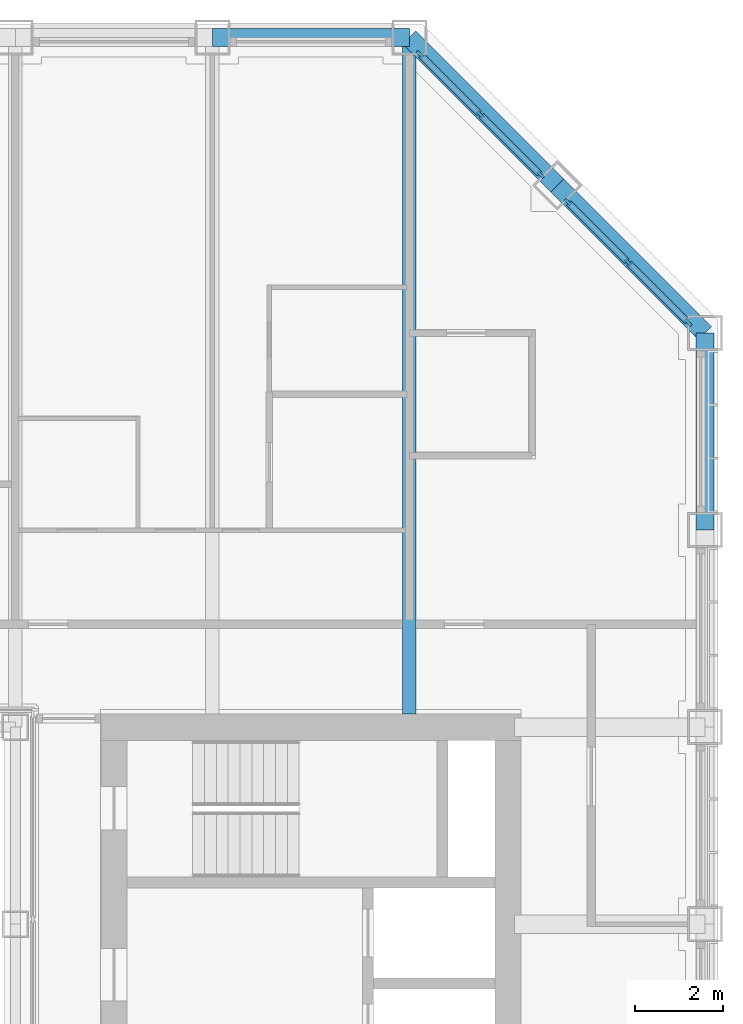
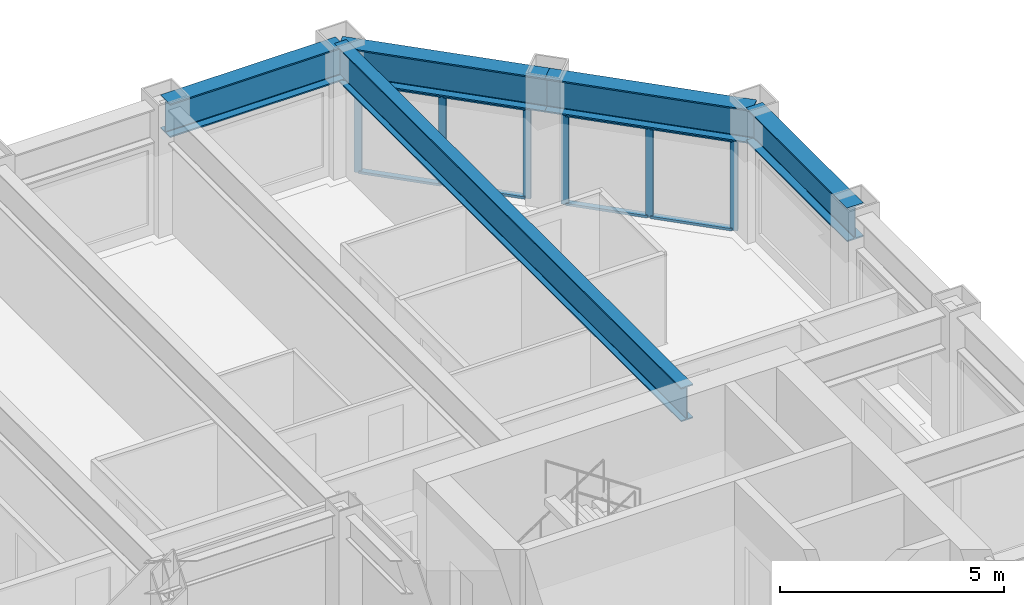
# One storey, part 8 of 18: 14 members, 5 beams, 2 elements without a shape of their own.
"""IFC4 building model written with IfcOpenShell, lengths in metres."""

import ifcopenshell
import ifcopenshell.guid

model = None  # the IFC model being written
_history = None  # IfcOwnerHistory: only IFC2X3 demands one
_inside = {}  # id of a spatial element -> (the spatial element, [elements in it])
_under = {}  # id of a project, library or spatial element -> (it, [spatial elements below it])
_declared = {}  # id of a project -> (the project, [libraries it declares])
_typed = {}  # id of a type object -> (the type object, [elements of that type])
_made_of = {}  # id of a material, layer set ... -> (it, [elements and type objects made of it])


def new_model(schema):
    """Start an empty IFC model of exactly this schema.

    Asked for "IFC4X3", IfcOpenShell would pick the latest addendum, in which some entities
    have other attributes; the version numbers below select the first issue.
    IFC2X3 requires an IfcOwnerHistory on every rooted entity: one is made here for all.
    """
    global model, _history
    if schema == "IFC4X3":
        model = ifcopenshell.file(schema_version=(4, 3, 0, 0))
    else:
        model = ifcopenshell.file(schema=schema)
    _inside.clear()
    _under.clear()
    _declared.clear()
    _typed.clear()
    _made_of.clear()
    _history = None
    if model.schema == "IFC2X3":
        org = make("IfcOrganization", Name="unknown")
        user = make(
            "IfcPersonAndOrganization",
            ThePerson=make("IfcPerson", FamilyName="unknown"),
            TheOrganization=org,
        )
        app = make(
            "IfcApplication",
            ApplicationDeveloper=org,
            Version="unknown",
            ApplicationFullName="unknown",
            ApplicationIdentifier="unknown",
        )
        _history = make(
            "IfcOwnerHistory",
            OwningUser=user,
            OwningApplication=app,
            ChangeAction="ADDED",
            CreationDate=0,
        )
    return model


def make(cls, **values):
    """One entity of the class cls with the attributes given. An attribute that is None is left unset."""
    return model.create_entity(
        cls, **{name: value for name, value in values.items() if value is not None}
    )


def rooted(cls, **values):
    """An entity with a GlobalId (a new one), such as an element, a storey or a relation."""
    return make(cls, GlobalId=ifcopenshell.guid.new(), OwnerHistory=_history, **values)


def si_unit(unit_type, name, prefix=None):
    """IfcSIUnit, for example si_unit("LENGTHUNIT", "METRE", prefix="MILLI")."""
    return make("IfcSIUnit", UnitType=unit_type, Prefix=prefix, Name=name)


def assignment(units):
    """IfcUnitAssignment: the units of a project."""
    return None if units is None else make("IfcUnitAssignment", Units=units)


def point(xyz):
    """IfcCartesianPoint."""
    return None if xyz is None else make("IfcCartesianPoint", Coordinates=xyz)


def direction(xyz):
    """IfcDirection."""
    return None if xyz is None else make("IfcDirection", DirectionRatios=xyz)


def frame(location, z_axis=None, x_axis=None):
    """IfcAxis2Placement3D, a coordinate frame: its origin and axes. An axis left out is left unset."""
    return make(
        "IfcAxis2Placement3D",
        Location=point(location),
        Axis=direction(z_axis),
        RefDirection=direction(x_axis),
    )


def frame_2d(location, x_axis=None):
    """IfcAxis2Placement2D, a coordinate frame in the plane: its origin and x axis."""
    return make(
        "IfcAxis2Placement2D", Location=point(location), RefDirection=direction(x_axis)
    )


def origin():
    """The frame at (0, 0, 0) with its axes left unset."""
    return frame((0.0, 0.0, 0.0))


def origin_2d():
    """The frame at (0, 0) in the plane with its x axis left unset."""
    return frame_2d((0.0, 0.0))


def place(relative_to, where):
    """IfcLocalPlacement: puts the frame where relative to a parent placement (None: the world)."""
    return make(
        "IfcLocalPlacement", PlacementRelTo=relative_to, RelativePlacement=where
    )


def context(
    kind, dimensions, precision=None, world=None, true_north=None, identifier=None
):
    """IfcGeometricRepresentationContext, for example the 3D "Model" context."""
    return make(
        "IfcGeometricRepresentationContext",
        ContextIdentifier=identifier,
        ContextType=kind,
        CoordinateSpaceDimension=dimensions,
        Precision=precision,
        WorldCoordinateSystem=world,
        TrueNorth=true_north,
    )


def subcontext(parent, identifier, kind, view, scale=None):
    """IfcGeometricRepresentationSubContext, for example "Body" below "Model"."""
    return make(
        "IfcGeometricRepresentationSubContext",
        ContextIdentifier=identifier,
        ContextType=kind,
        ParentContext=parent,
        TargetScale=scale,
        TargetView=view,
    )


def project(units=None, contexts=None):
    """IfcProject with its units and contexts."""
    return rooted(
        "IfcProject",
        Name="project",
        RepresentationContexts=contexts,
        UnitsInContext=assignment(units),
    )


def spatial(cls, under=None, at=None, **own):
    """A site, building, storey or space (cls), placed at a placement, below another one or the project."""
    s = rooted(cls, ObjectPlacement=at, **own)
    if under is not None:
        _under.setdefault(under.id(), (under, []))[1].append(s)
    return s


def profile(cls, at=None, kind="AREA", **sizes):
    """A parametric profile (cls). Its sizes go by their IFC names, for example OverallWidth=200.0."""
    return make(cls, ProfileType=kind, Position=at, **sizes)


def rectangle(**sizes):
    """IfcRectangleProfileDef."""
    return profile("IfcRectangleProfileDef", **sizes)


def i_section(**sizes):
    """IfcIShapeProfileDef."""
    return profile("IfcIShapeProfileDef", **sizes)


def extrude(swept, where, along, depth):
    """IfcExtrudedAreaSolid: the profile swept, set in the frame where, extruded along a direction by depth."""
    return make(
        "IfcExtrudedAreaSolid",
        SweptArea=swept,
        Position=where,
        ExtrudedDirection=direction(along),
        Depth=depth,
    )


def shape(context_of_items, identifier, shape_type, items):
    """IfcShapeRepresentation: the items that make up one representation, for example the "Body"."""
    return make(
        "IfcShapeRepresentation",
        ContextOfItems=context_of_items,
        RepresentationIdentifier=identifier,
        RepresentationType=shape_type,
        Items=items,
    )


def material(Name=None, Category=None):
    """IfcMaterial."""
    return make("IfcMaterial", Name=Name, Category=Category)


def material_profile(
    of_material, cross_section, Name=None, Category=None, Priority=None
):
    """IfcMaterialProfile: a cross section and its material."""
    return make(
        "IfcMaterialProfile",
        Name=Name,
        Material=of_material,
        Profile=cross_section,
        Priority=Priority,
        Category=Category,
    )


def profile_set(profiles, Name=None, composite=None):
    """IfcMaterialProfileSet."""
    return make(
        "IfcMaterialProfileSet",
        Name=Name,
        MaterialProfiles=profiles,
        CompositeProfile=composite,
    )


def made_of(thing, what):
    """Note that an element or type object is made of a material, layer set ...; save() writes the relation."""
    if what is not None:
        _made_of.setdefault(what.id(), (what, []))[1].append(thing)
    return thing


def type_object(cls, material=None, **own):
    """A type object (cls), such as IfcWallType, which elements share."""
    return made_of(rooted(cls, **own), material)


def element(
    cls,
    number,
    at=None,
    inside=None,
    cuts=None,
    type_object=None,
    material=None,
    context=None,
    identifier="Body",
    shape_type=None,
    held_by="IfcProductDefinitionShape",
    body=None,
    shapes=None,
    **own,
):
    """One element of the class cls, such as IfcWall. Its Tag is "e" and its number.

    at: its placement. inside: the storey or other place that contains it. cuts: it is an
    opening in that element (IfcRelVoidsElement). A single representation is given by context,
    identifier, shape_type and body (its items); several are given by shapes. held_by: the class
    of the entity that holds the representations. save() writes the other relations.
    """
    e = rooted(cls, Tag="e%d" % number, ObjectPlacement=at, **own)
    if body is not None:
        shapes = [shape(context, identifier, shape_type, body)]
    if shapes is not None:
        e.Representation = make(held_by, Representations=shapes)
    if inside is not None:
        _inside.setdefault(inside.id(), (inside, []))[1].append(e)
    if cuts is not None:
        rooted(
            "IfcRelVoidsElement", RelatingBuildingElement=cuts, RelatedOpeningElement=e
        )
    if type_object is not None:
        _typed.setdefault(type_object.id(), (type_object, []))[1].append(e)
    return made_of(e, material)


def aggregate(whole, parts):
    """IfcRelAggregates: a whole, such as a stair, and the parts it consists of."""
    return rooted("IfcRelAggregates", RelatingObject=whole, RelatedObjects=parts)


def save(model, path):
    """Write the relations noted so far, then the file.

    IfcRelAggregates (storeys below a building ...), IfcRelContainedInSpatialStructure (elements
    in a storey), IfcRelDefinesByType, IfcRelAssociatesMaterial and IfcRelDeclares: one each for
    every whole, place, type object, material and project.
    """
    for whole, parts in _under.values():
        aggregate(whole, parts)
    for where, things in _inside.values():
        rooted(
            "IfcRelContainedInSpatialStructure",
            RelatedElements=things,
            RelatingStructure=where,
        )
    for kind, things in _typed.values():
        rooted("IfcRelDefinesByType", RelatedObjects=things, RelatingType=kind)
    for what, things in _made_of.values():
        rooted("IfcRelAssociatesMaterial", RelatedObjects=things, RelatingMaterial=what)
    for by, libraries in _declared.values():
        rooted("IfcRelDeclares", RelatingContext=by, RelatedDefinitions=libraries)
    model.write(path)


model = new_model("IFC4")

# Units and contexts
model_context = context("Model", 3, precision=1e-05, world=origin(), true_north=direction((0.0, 1.0)))
body_context = subcontext(model_context, "Body", "Model", "MODEL_VIEW")
ifc_project = project(units=[si_unit("LENGTHUNIT", "METRE"), si_unit("AREAUNIT", "SQUARE_METRE"), si_unit("VOLUMEUNIT", "CUBIC_METRE"), si_unit("PLANEANGLEUNIT", "RADIAN"), si_unit("MASSUNIT", "GRAM", prefix="KILO")], contexts=[model_context])

# Site, building, storey
site_placement = place(None, origin())
site = spatial("IfcSite", under=ifc_project, at=site_placement, CompositionType="ELEMENT")
building_placement = place(site_placement, origin())
building = spatial("IfcBuilding", under=site, at=building_placement, Name="Msasa Ring Tower", CompositionType="ELEMENT")
storey_placement = place(building_placement, frame((0.0, 0.0, 183.199951171875)))
storey = spatial("IfcBuildingStorey", under=building, at=storey_placement, Name="L48", CompositionType="ELEMENT", Elevation=183.199951171875)

# Curtain wall, members
ifc_material_1 = material(Name="Aluminium curtain wall with clear glass", Category="aluminium")
curtain_wall_type = type_object("IfcCurtainWallType", Name="CW-C CHAMFER CORNER CURTAIN WALL", PredefinedType="NOTDEFINED", material=ifc_material_1)
curtain_wall_1_placement = place(storey_placement, origin())
curtain_wall_1 = element("IfcCurtainWall", 1, at=curtain_wall_1_placement, inside=storey, type_object=curtain_wall_type, Name="Chamfer corner curtain wall NE L48", PredefinedType="NOTDEFINED")
ifc_material_2 = material(Name="Aluminium mullion", Category="aluminium")
ifc_material_profile_1 = material_profile(ifc_material_2, rectangle(XDim=0.06494140625, YDim=0.179931640625, at=origin_2d()), Name="AL 65x180")
ifc_profile_set_1 = profile_set([ifc_material_profile_1], Name="Aluminium mullion")
member_type_1 = type_object("IfcMemberType", Name="CW-C MULLION 65x180", PredefinedType="MULLION", material=ifc_profile_set_1)
member_1_placement = place(storey_placement, frame((18.744873046875, 19.36376953125, 0.0), z_axis=(0.0, 0.0, 1.0), x_axis=(-0.707106781187, -0.707106781187, 0.0)))
member_1 = element("IfcMember", 2, at=member_1_placement, type_object=member_type_1, Name="CW-C mullion 1", PredefinedType="MULLION", context=body_context, shape_type="SweptSolid", body=[
    extrude(rectangle(XDim=0.06494140625, YDim=0.179931640625, at=origin_2d()), origin(), (0.0, 0.0, 1.0), 2.47900390625),
])
member_2_placement = place(storey_placement, frame((17.36669921875, 20.74169921875, 0.0), z_axis=(0.0, 0.0, 1.0), x_axis=(-0.707106781187, -0.707106781187, 0.0)))
member_2 = element("IfcMember", 3, at=member_2_placement, type_object=member_type_1, Name="CW-C mullion 2", PredefinedType="MULLION", context=body_context, shape_type="SweptSolid", body=[
    extrude(rectangle(XDim=0.06494140625, YDim=0.179931640625, at=origin_2d()), origin(), (0.0, 0.0, 1.0), 2.47900390625),
])
member_3_placement = place(storey_placement, frame((15.98876953125, 22.119873046875, 0.0), z_axis=(0.0, 0.0, 1.0), x_axis=(-0.707106781187, -0.707106781187, 0.0)))
member_3 = element("IfcMember", 4, at=member_3_placement, type_object=member_type_1, Name="CW-C mullion 3", PredefinedType="MULLION", context=body_context, shape_type="SweptSolid", body=[
    extrude(rectangle(XDim=0.06494140625, YDim=0.179931640625, at=origin_2d()), origin(), (0.0, 0.0, 1.0), 2.47900390625),
])

curtain_wall_2_placement = place(storey_placement, origin())
curtain_wall_2 = element("IfcCurtainWall", 5, at=curtain_wall_2_placement, inside=storey, type_object=curtain_wall_type, Name="Chamfer corner curtain wall NE L48", PredefinedType="NOTDEFINED")
member_4_placement = place(storey_placement, frame((22.119873046875, 15.98876953125, 0.0), z_axis=(0.0, 0.0, 1.0), x_axis=(-0.707106781187, -0.707106781187, 0.0)))
member_4 = element("IfcMember", 6, at=member_4_placement, type_object=member_type_1, Name="CW-C mullion 1", PredefinedType="MULLION", context=body_context, shape_type="SweptSolid", body=[
    extrude(rectangle(XDim=0.06494140625, YDim=0.179931640625, at=origin_2d()), origin(), (0.0, 0.0, 1.0), 2.47900390625),
])
member_5_placement = place(storey_placement, frame((20.74169921875, 17.36669921875, 0.0), z_axis=(0.0, 0.0, 1.0), x_axis=(-0.707106781187, -0.707106781187, 0.0)))
member_5 = element("IfcMember", 7, at=member_5_placement, type_object=member_type_1, Name="CW-C mullion 2", PredefinedType="MULLION", context=body_context, shape_type="SweptSolid", body=[
    extrude(rectangle(XDim=0.06494140625, YDim=0.179931640625, at=origin_2d()), origin(), (0.0, 0.0, 1.0), 2.47900390625),
])
member_6_placement = place(storey_placement, frame((19.36376953125, 18.744873046875, 0.0), z_axis=(0.0, 0.0, 1.0), x_axis=(-0.707106781187, -0.707106781187, 0.0)))
member_6 = element("IfcMember", 8, at=member_6_placement, type_object=member_type_1, Name="CW-C mullion 3", PredefinedType="MULLION", context=body_context, shape_type="SweptSolid", body=[
    extrude(rectangle(XDim=0.06494140625, YDim=0.179931640625, at=origin_2d()), origin(), (0.0, 0.0, 1.0), 2.47900390625),
])

# Member
ifc_material_3 = material(Name="Aluminium transom", Category="aluminium")
ifc_material_profile_2 = material_profile(ifc_material_3, rectangle(XDim=0.139892578125, YDim=0.06494140625, at=origin_2d()), Name="AL 65x140")
ifc_profile_set_2 = profile_set([ifc_material_profile_2], Name="Aluminium transom")
member_type_2 = type_object("IfcMemberType", Name="CW-C TRANSOM 65x140", PredefinedType="USERDEFINED", material=ifc_profile_set_2)
member_7_placement = place(storey_placement, frame((18.721923828125, 19.38671875, 0.032470703125), z_axis=(-0.707106781187, 0.707106781187, 0.0), x_axis=(-0.707106781187, -0.707106781187, 0.0)))
member_7 = element("IfcMember", 9, at=member_7_placement, type_object=member_type_2, Name="CW-C transom 1.1", ObjectType="TRANSOM", PredefinedType="USERDEFINED", context=body_context, shape_type="SweptSolid", body=[
    extrude(rectangle(XDim=0.139892578125, YDim=0.06494140625, at=origin_2d()), origin(), (0.0, 0.0, 1.0), 1.8837890625),
])

member_8_placement = place(storey_placement, frame((18.721923828125, 19.38671875, 2.446533203125), z_axis=(-0.707106781187, 0.707106781187, 0.0), x_axis=(-0.707106781187, -0.707106781187, 0.0)))
member_8 = element("IfcMember", 10, at=member_8_placement, type_object=member_type_2, Name="CW-C transom 1.2", ObjectType="TRANSOM", PredefinedType="USERDEFINED", context=body_context, shape_type="SweptSolid", body=[
    extrude(rectangle(XDim=0.139892578125, YDim=0.06494140625, at=origin_2d()), origin(), (0.0, 0.0, 1.0), 1.8837890625),
])

member_9_placement = place(storey_placement, frame((17.34375, 20.764892578125, 0.032470703125), z_axis=(-0.707106781187, 0.707106781187, 0.0), x_axis=(-0.707106781187, -0.707106781187, 0.0)))
member_9 = element("IfcMember", 11, at=member_9_placement, type_object=member_type_2, Name="CW-C transom 2.1", ObjectType="TRANSOM", PredefinedType="USERDEFINED", context=body_context, shape_type="SweptSolid", body=[
    extrude(rectangle(XDim=0.139892578125, YDim=0.06494140625, at=origin_2d()), origin(), (0.0, 0.0, 1.0), 1.8837890625),
])

member_10_placement = place(storey_placement, frame((17.34375, 20.764892578125, 2.446533203125), z_axis=(-0.707106781187, 0.707106781187, 0.0), x_axis=(-0.707106781187, -0.707106781187, 0.0)))
member_10 = element("IfcMember", 12, at=member_10_placement, type_object=member_type_2, Name="CW-C transom 2.2", ObjectType="TRANSOM", PredefinedType="USERDEFINED", context=body_context, shape_type="SweptSolid", body=[
    extrude(rectangle(XDim=0.139892578125, YDim=0.06494140625, at=origin_2d()), origin(), (0.0, 0.0, 1.0), 1.8837890625),
])

aggregate(curtain_wall_1, [member_1, member_2, member_3, member_7, member_8, member_9, member_10])

member_11_placement = place(storey_placement, frame((22.096923828125, 16.01171875, 0.032470703125), z_axis=(-0.707106781187, 0.707106781187, 0.0), x_axis=(-0.707106781187, -0.707106781187, 0.0)))
member_11 = element("IfcMember", 13, at=member_11_placement, type_object=member_type_2, Name="CW-C transom 1.1", ObjectType="TRANSOM", PredefinedType="USERDEFINED", context=body_context, shape_type="SweptSolid", body=[
    extrude(rectangle(XDim=0.139892578125, YDim=0.06494140625, at=origin_2d()), origin(), (0.0, 0.0, 1.0), 1.8837890625),
])

member_12_placement = place(storey_placement, frame((22.096923828125, 16.01171875, 2.446533203125), z_axis=(-0.707106781187, 0.707106781187, 0.0), x_axis=(-0.707106781187, -0.707106781187, 0.0)))
member_12 = element("IfcMember", 14, at=member_12_placement, type_object=member_type_2, Name="CW-C transom 1.2", ObjectType="TRANSOM", PredefinedType="USERDEFINED", context=body_context, shape_type="SweptSolid", body=[
    extrude(rectangle(XDim=0.139892578125, YDim=0.06494140625, at=origin_2d()), origin(), (0.0, 0.0, 1.0), 1.8837890625),
])

member_13_placement = place(storey_placement, frame((20.71875, 17.389892578125, 0.032470703125), z_axis=(-0.707106781187, 0.707106781187, 0.0), x_axis=(-0.707106781187, -0.707106781187, 0.0)))
member_13 = element("IfcMember", 15, at=member_13_placement, type_object=member_type_2, Name="CW-C transom 2.1", ObjectType="TRANSOM", PredefinedType="USERDEFINED", context=body_context, shape_type="SweptSolid", body=[
    extrude(rectangle(XDim=0.139892578125, YDim=0.06494140625, at=origin_2d()), origin(), (0.0, 0.0, 1.0), 1.8837890625),
])

member_14_placement = place(storey_placement, frame((20.71875, 17.389892578125, 2.446533203125), z_axis=(-0.707106781187, 0.707106781187, 0.0), x_axis=(-0.707106781187, -0.707106781187, 0.0)))
member_14 = element("IfcMember", 16, at=member_14_placement, type_object=member_type_2, Name="CW-C transom 2.2", ObjectType="TRANSOM", PredefinedType="USERDEFINED", context=body_context, shape_type="SweptSolid", body=[
    extrude(rectangle(XDim=0.139892578125, YDim=0.06494140625, at=origin_2d()), origin(), (0.0, 0.0, 1.0), 1.8837890625),
])

aggregate(curtain_wall_2, [member_4, member_5, member_6, member_11, member_12, member_13, member_14])

# Beams
ifc_material_4 = material(Name="Steel S355", Category="steel")
ifc_material_profile_3 = material_profile(ifc_material_4, i_section(OverallWidth=0.3076171875, OverallDepth=0.926513671875, WebThickness=0.01953125, FlangeThickness=0.031982421875, FilletRadius=0.01904296875, at=origin_2d()), Name="UB 914x305x289")
ifc_profile_set_3 = profile_set([ifc_material_profile_3], Name="Steel S355")
beam_type_1 = type_object("IfcBeamType", Name="FB3 UB 914x305x289", PredefinedType="BEAM", material=ifc_profile_set_3)
beam_1_placement = place(storey_placement, frame((15.75, 22.5, 2.936767578125), z_axis=(0.0, -1.0, 0.0), x_axis=(1.0, 0.0, 0.0)))
element("IfcBeam", 17, at=beam_1_placement, inside=storey, type_object=beam_type_1, Name="Floor beam N+15.75 under L49", PredefinedType="BEAM", context=body_context, shape_type="SweptSolid", body=[
    extrude(i_section(OverallWidth=0.3076171875, OverallDepth=0.926513671875, WebThickness=0.01953125, FlangeThickness=0.031982421875, FilletRadius=0.01904296875, at=origin_2d()), origin(), (0.0, 0.0, 1.0), 15.449951171875),
])
ifc_material_5 = material(Name="Steel S355", Category="steel")
ifc_material_profile_4 = material_profile(ifc_material_5, i_section(OverallWidth=0.42041015625, OverallDepth=0.9208984375, WebThickness=0.021484375, FlangeThickness=0.03662109375, FilletRadius=0.024169921875, at=origin_2d()), Name="UB 914x419x388")
ifc_profile_set_4 = profile_set([ifc_material_profile_4], Name="Steel S355")
beam_type_2 = type_object("IfcBeamType", Name="SB1 UB 914x419x388", PredefinedType="SPANDREL", material=ifc_profile_set_4)
beam_2_placement = place(storey_placement, frame((22.5, 11.25, 2.939453125), z_axis=(0.0, 1.0, 0.0), x_axis=(-1.0, 0.0, 0.0)))
element("IfcBeam", 18, at=beam_2_placement, inside=storey, type_object=beam_type_2, Name="Spandrel E+11.25 to E+15.75 under L49", PredefinedType="SPANDREL", context=body_context, shape_type="SweptSolid", body=[
    extrude(i_section(OverallWidth=0.42041015625, OverallDepth=0.9208984375, WebThickness=0.021484375, FlangeThickness=0.03662109375, FilletRadius=0.024169921875, at=origin_2d()), origin(), (0.0, 0.0, 1.0), 4.5),
])
for number, where, z_axis, x_axis, name in (
    (19, (22.5, 15.75, 2.939453125), (-0.707106781187, 0.707106781187, 0.0), (-0.707106781187, -0.707106781187, 0.0), "Spandrel E+15.75 to NE under L49"),
    (20, (19.125, 19.125, 2.939453125), (-0.707106781187, 0.707106781187, 0.0), (-0.707106781187, -0.707106781187, 0.0), "Spandrel NE to N+15.75 under L49"),
):
    element("IfcBeam", number, at=place(storey_placement, frame(where, z_axis=z_axis, x_axis=x_axis)), inside=storey, type_object=beam_type_2, Name=name, PredefinedType="SPANDREL", context=body_context, shape_type="SweptSolid", body=[
        extrude(i_section(OverallWidth=0.42041015625, OverallDepth=0.9208984375, WebThickness=0.021484375, FlangeThickness=0.03662109375, FilletRadius=0.024169921875, at=origin_2d()), origin(), (0.0, 0.0, 1.0), 4.77294921875),
    ])
beam_3_placement = place(storey_placement, frame((15.75, 22.5, 2.939453125), z_axis=(-1.0, 0.0, 0.0), x_axis=(0.0, -1.0, 0.0)))
element("IfcBeam", 21, at=beam_3_placement, inside=storey, type_object=beam_type_2, Name="Spandrel N+15.75 to N+11.25 under L49", PredefinedType="SPANDREL", context=body_context, shape_type="SweptSolid", body=[
    extrude(i_section(OverallWidth=0.42041015625, OverallDepth=0.9208984375, WebThickness=0.021484375, FlangeThickness=0.03662109375, FilletRadius=0.024169921875, at=origin_2d()), origin(), (0.0, 0.0, 1.0), 4.5),
])

save(model, "model.ifc")
